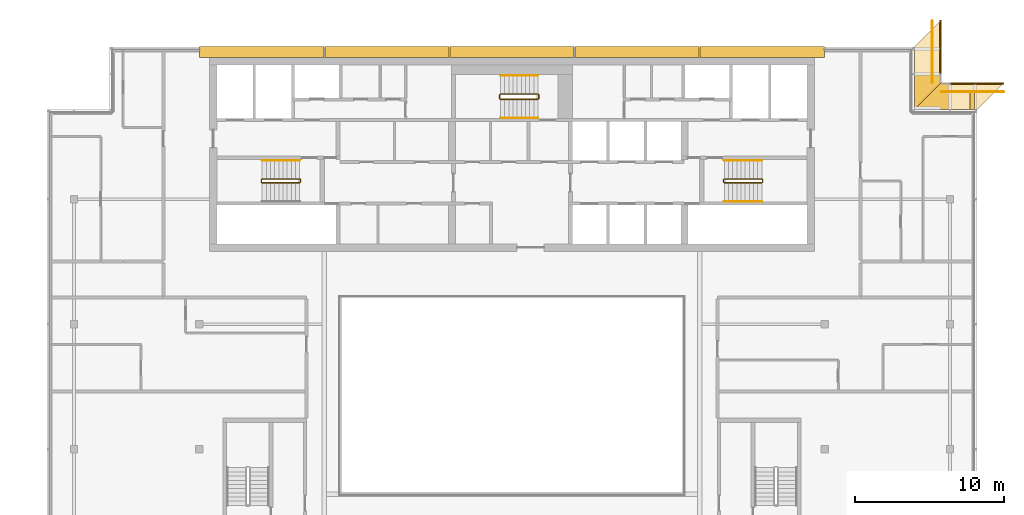
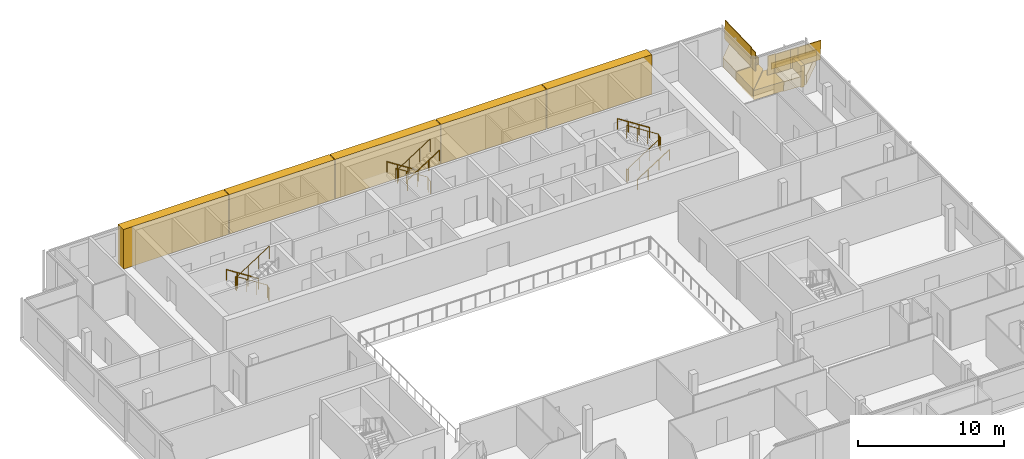
# One storey, part 23 of 24: 13 railings, 12 coverings.
"""IFC4 building model written with IfcOpenShell, lengths in metres."""

from ifc_helpers import new_model, si_unit, direction, frame, origin, origin_2d, place, context, subcontext, project, spatial, polyline, rectangle, circle, outline, extrude, material, layer, layer_set, type_object, element, save


model = new_model("IFC4")

# Units and contexts
model_context = context("Model", 3, precision=1e-05, world=origin(), true_north=direction((0.0, 1.0)))
body_context = subcontext(model_context, "Body", "Model", "MODEL_VIEW")
ifc_project = project(units=[si_unit("LENGTHUNIT", "METRE"), si_unit("AREAUNIT", "SQUARE_METRE"), si_unit("VOLUMEUNIT", "CUBIC_METRE"), si_unit("PLANEANGLEUNIT", "RADIAN"), si_unit("MASSUNIT", "GRAM", prefix="KILO")], contexts=[model_context])

# Site, building, storey
site_placement = place(None, origin())
site = spatial("IfcSite", under=ifc_project, at=site_placement, CompositionType="ELEMENT")
building_placement = place(site_placement, origin())
building = spatial("IfcBuilding", under=site, at=building_placement, Name="Saffron Gate Tower", CompositionType="ELEMENT")
storey_placement = place(building_placement, frame((0.0, 0.0, 281.550048828125)))
storey = spatial("IfcBuildingStorey", under=building, at=storey_placement, Name="L68", CompositionType="ELEMENT", Elevation=281.550048828125)

# Coverings
ifc_material_1 = material(Name="Ceramic-printed bronze insulated panel")
ifc_layer_1 = layer(ifc_material_1, 0.739990234375)
ifc_layer_set_1 = layer_set([ifc_layer_1], Name="CLD5 ceramic-printed cladding panel 740")
covering_type_1 = type_object("IfcCoveringType", Name="CLD5 ceramic-printed cladding panel 740", PredefinedType="CLADDING", material=ifc_layer_set_1)
covering_1_placement = place(storey_placement, origin())
element("IfcCovering", 1, at=covering_1_placement, inside=storey, type_object=covering_type_1, Name="CLADDING ceramic-printed panel", PredefinedType="CLADDING", context=body_context, shape_type="SweptSolid", body=[
    extrude(outline(polyline([(108.56494140625, 75.639892578125), (100.235107421875, 75.639892578125), (100.235107421875, 74.89990234375), (108.56494140625, 74.89990234375), (108.56494140625, 75.639892578125)])), origin(), (0.0, 0.0, 1.0), 3.320068359375),
])
covering_2_placement = place(storey_placement, origin())
element("IfcCovering", 2, at=covering_2_placement, inside=storey, type_object=covering_type_1, Name="CLADDING ceramic-printed panel", PredefinedType="CLADDING", context=body_context, shape_type="SweptSolid", body=[
    extrude(outline(polyline([(100.1650390625, 75.639892578125), (91.8349609375, 75.639892578125), (91.8349609375, 74.89990234375), (100.1650390625, 74.89990234375), (100.1650390625, 75.639892578125)])), origin(), (0.0, 0.0, 1.0), 3.320068359375),
])
covering_3_placement = place(storey_placement, origin())
element("IfcCovering", 3, at=covering_3_placement, inside=storey, type_object=covering_type_1, Name="CLADDING ceramic-printed panel", PredefinedType="CLADDING", context=body_context, shape_type="SweptSolid", body=[
    extrude(outline(polyline([(91.764892578125, 75.639892578125), (83.43505859375, 75.639892578125), (83.43505859375, 74.89990234375), (91.764892578125, 74.89990234375), (91.764892578125, 75.639892578125)])), origin(), (0.0, 0.0, 1.0), 3.320068359375),
])
covering_4_placement = place(storey_placement, origin())
element("IfcCovering", 4, at=covering_4_placement, inside=storey, type_object=covering_type_1, Name="CLADDING ceramic-printed panel", PredefinedType="CLADDING", context=body_context, shape_type="SweptSolid", body=[
    extrude(outline(polyline([(83.364990234375, 75.639892578125), (75.034912109375, 75.639892578125), (75.034912109375, 74.89990234375), (83.364990234375, 74.89990234375), (83.364990234375, 75.639892578125)])), origin(), (0.0, 0.0, 1.0), 3.320068359375),
])
covering_5_placement = place(storey_placement, origin())
element("IfcCovering", 5, at=covering_5_placement, inside=storey, type_object=covering_type_1, Name="CLADDING ceramic-printed panel", PredefinedType="CLADDING", context=body_context, shape_type="SweptSolid", body=[
    extrude(outline(polyline([(74.965087890625, 75.639892578125), (66.635009765625, 75.639892578125), (66.635009765625, 74.89990234375), (74.965087890625, 74.89990234375), (74.965087890625, 75.639892578125)])), origin(), (0.0, 0.0, 1.0), 3.320068359375),
])

# Railings
ifc_material_2 = material(Name="Stainless steel and laminated glass", Category="steel")
railing_type_1 = type_object("IfcRailingType", Name="CR1 Stair guard 1100", PredefinedType="GUARDRAIL", material=ifc_material_2)
railing_1_placement = place(storey_placement, frame((73.39990234375, 66.550048828125, 0.0)))
element("IfcRailing", 6, at=railing_1_placement, inside=storey, type_object=railing_type_1, Name="L68 ST-A stair guard 1", PredefinedType="GUARDRAIL", context=body_context, shape_type="SweptSolid", body=[
    extrude(circle(Radius=0.02392578125, at=origin_2d()), frame((0.0, 0.0, 1.076171875), z_axis=(0.0, 1.0, 0.0), x_axis=(-1.0, 0.0, 0.0)), (0.0, 0.0, 1.0), 0.14990234375),
    extrude(circle(Radius=0.02392578125, at=origin_2d()), frame((0.0, 0.14990234375, 1.076171875), z_axis=(-0.257669022063, 0.258932105505, 0.930892496375), x_axis=(-0.708833529934, -0.705375805398, 0.0)), (0.0, 0.0, 1.0), 0.193359375),
    extrude(circle(Radius=0.02392578125, at=origin_2d()), frame((-0.0498046875, 0.199951171875, 1.255859375), z_axis=(-0.841162588446, 0.0, 0.540782303519), x_axis=(0.0, -1.0, 0.0)), (0.0, 0.0, 1.0), 2.995849609375),
    extrude(circle(Radius=0.02392578125, at=origin_2d()), frame((-2.56982421875, 0.199951171875, 2.8759765625), z_axis=(-0.707106781187, -0.707106781187, 0.0), x_axis=(0.707106781187, -0.707106781187, 0.0)), (0.0, 0.0, 1.0), 0.07080078125),
    extrude(circle(Radius=0.02392578125, at=origin_2d()), frame((-2.619873046875, 0.14990234375, 2.8759765625), z_axis=(0.0, -1.0, 0.0), x_axis=(1.0, 0.0, 0.0)), (0.0, 0.0, 1.0), 0.14990234375),
    extrude(circle(Radius=0.02392578125, at=origin_2d()), frame((-2.619873046875, 0.0, 2.8759765625), z_axis=(0.258847668887, -0.258847668887, 0.930588936439), x_axis=(0.707106781187, 0.707106781187, 0.0)), (0.0, 0.0, 1.0), 0.193359375),
    extrude(circle(Radius=0.02392578125, at=origin_2d()), frame((-2.56982421875, -0.050048828125, 3.05615234375), z_axis=(0.841199657755, 0.0, 0.540724639528), x_axis=(0.0, 1.0, 0.0)), (0.0, 0.0, 1.0), 2.995849609375),
    extrude(circle(Radius=0.02099609375, at=origin_2d()), origin(), (0.0, 0.0, 1.0), 1.052001953125),
    extrude(circle(Radius=0.02099609375, at=origin_2d()), frame((0.0, 0.14990234375, 0.0)), (0.0, 0.0, 1.0), 1.052001953125),
    extrude(circle(Radius=0.02099609375, at=origin_2d()), frame((-0.0498046875, 0.199951171875, 0.179931640625)), (0.0, 0.0, 1.0), 1.052001953125),
    extrude(circle(Radius=0.02099609375, at=origin_2d()), frame((-0.889892578125, 0.199951171875, 0.719970703125)), (0.0, 0.0, 1.0), 1.052001953125),
    extrude(circle(Radius=0.02099609375, at=origin_2d()), frame((-1.729736328125, 0.199951171875, 1.260009765625)), (0.0, 0.0, 1.0), 1.052001953125),
    extrude(circle(Radius=0.02099609375, at=origin_2d()), frame((-2.56982421875, 0.199951171875, 1.800048828125)), (0.0, 0.0, 1.0), 1.052001953125),
    extrude(circle(Radius=0.02099609375, at=origin_2d()), frame((-2.619873046875, 0.14990234375, 1.800048828125)), (0.0, 0.0, 1.0), 1.052001953125),
    extrude(circle(Radius=0.02099609375, at=origin_2d()), frame((-2.619873046875, 0.0, 1.800048828125)), (0.0, 0.0, 1.0), 1.052001953125),
    extrude(circle(Radius=0.02099609375, at=origin_2d()), frame((-2.56982421875, -0.050048828125, 1.97998046875)), (0.0, 0.0, 1.0), 1.052001953125),
    extrude(circle(Radius=0.02099609375, at=origin_2d()), frame((-1.729736328125, -0.050048828125, 2.52001953125)), (0.0, 0.0, 1.0), 1.052001953125),
    extrude(circle(Radius=0.02099609375, at=origin_2d()), frame((-0.889892578125, -0.050048828125, 3.059814453125)), (0.0, 0.0, 1.0), 1.052001953125),
    extrude(circle(Radius=0.02099609375, at=origin_2d()), frame((-0.0498046875, -0.050048828125, 3.599853515625)), (0.0, 0.0, 1.0), 1.052001953125),
])
railing_2_placement = place(storey_placement, frame((101.800048828125, 66.699951171875, 0.0)))
element("IfcRailing", 7, at=railing_2_placement, inside=storey, type_object=railing_type_1, Name="L68 ST-B stair guard 1", PredefinedType="GUARDRAIL", context=body_context, shape_type="SweptSolid", body=[
    extrude(circle(Radius=0.02392578125, at=origin_2d()), frame((0.0, 0.0, 1.076171875), z_axis=(0.0, -1.0, 0.0), x_axis=(1.0, 0.0, 0.0)), (0.0, 0.0, 1.0), 0.14990234375),
    extrude(circle(Radius=0.02392578125, at=origin_2d()), frame((0.0, -0.14990234375, 1.076171875), z_axis=(0.258847668887, -0.258847668887, 0.930588936439), x_axis=(0.707106781187, 0.707106781187, 0.0)), (0.0, 0.0, 1.0), 0.193359375),
    extrude(circle(Radius=0.02392578125, at=origin_2d()), frame((0.050048828125, -0.199951171875, 1.255859375), z_axis=(0.841162588446, 0.0, 0.540782303519), x_axis=(0.0, 1.0, 0.0)), (0.0, 0.0, 1.0), 2.995849609375),
    extrude(circle(Radius=0.02392578125, at=origin_2d()), frame((2.570068359375, -0.199951171875, 2.8759765625), z_axis=(0.705375805398, 0.708833529934, 0.0), x_axis=(-0.708833529934, 0.705375805398, 0.0)), (0.0, 0.0, 1.0), 0.070556640625),
    extrude(circle(Radius=0.02392578125, at=origin_2d()), frame((2.619873046875, -0.14990234375, 2.8759765625), z_axis=(0.0, 1.0, 0.0), x_axis=(-1.0, 0.0, 0.0)), (0.0, 0.0, 1.0), 0.14990234375),
    extrude(circle(Radius=0.02392578125, at=origin_2d()), frame((2.619873046875, 0.0, 2.8759765625), z_axis=(-0.257669022063, 0.258932105505, 0.930892496375), x_axis=(-0.708833529934, -0.705375805398, 0.0)), (0.0, 0.0, 1.0), 0.193359375),
    extrude(circle(Radius=0.02392578125, at=origin_2d()), frame((2.570068359375, 0.050048828125, 3.05615234375), z_axis=(-0.841199657755, 0.0, 0.540724639528), x_axis=(0.0, -1.0, 0.0)), (0.0, 0.0, 1.0), 2.995849609375),
    extrude(circle(Radius=0.02099609375, at=origin_2d()), origin(), (0.0, 0.0, 1.0), 1.052001953125),
    extrude(circle(Radius=0.02099609375, at=origin_2d()), frame((0.0, -0.14990234375, 0.0)), (0.0, 0.0, 1.0), 1.052001953125),
    extrude(circle(Radius=0.02099609375, at=origin_2d()), frame((0.050048828125, -0.199951171875, 0.179931640625)), (0.0, 0.0, 1.0), 1.052001953125),
    extrude(circle(Radius=0.02099609375, at=origin_2d()), frame((0.89013671875, -0.199951171875, 0.719970703125)), (0.0, 0.0, 1.0), 1.052001953125),
    extrude(circle(Radius=0.02099609375, at=origin_2d()), frame((1.72998046875, -0.199951171875, 1.260009765625)), (0.0, 0.0, 1.0), 1.052001953125),
    extrude(circle(Radius=0.02099609375, at=origin_2d()), frame((2.570068359375, -0.199951171875, 1.800048828125)), (0.0, 0.0, 1.0), 1.052001953125),
    extrude(circle(Radius=0.02099609375, at=origin_2d()), frame((2.619873046875, -0.14990234375, 1.800048828125)), (0.0, 0.0, 1.0), 1.052001953125),
    extrude(circle(Radius=0.02099609375, at=origin_2d()), frame((2.619873046875, 0.0, 1.800048828125)), (0.0, 0.0, 1.0), 1.052001953125),
    extrude(circle(Radius=0.02099609375, at=origin_2d()), frame((2.570068359375, 0.050048828125, 1.97998046875)), (0.0, 0.0, 1.0), 1.052001953125),
    extrude(circle(Radius=0.02099609375, at=origin_2d()), frame((1.72998046875, 0.050048828125, 2.52001953125)), (0.0, 0.0, 1.0), 1.052001953125),
    extrude(circle(Radius=0.02099609375, at=origin_2d()), frame((0.89013671875, 0.050048828125, 3.059814453125)), (0.0, 0.0, 1.0), 1.052001953125),
    extrude(circle(Radius=0.02099609375, at=origin_2d()), frame((0.050048828125, 0.050048828125, 3.599853515625)), (0.0, 0.0, 1.0), 1.052001953125),
])
railing_3_placement = place(storey_placement, frame((89.39990234375, 72.14990234375, 0.0)))
element("IfcRailing", 8, at=railing_3_placement, inside=storey, type_object=railing_type_1, Name="L68 ST-C stair guard 1", PredefinedType="GUARDRAIL", context=body_context, shape_type="SweptSolid", body=[
    extrude(circle(Radius=0.02392578125, at=origin_2d()), frame((0.0, 0.0, 1.076171875), z_axis=(0.0, 1.0, 0.0), x_axis=(-1.0, 0.0, 0.0)), (0.0, 0.0, 1.0), 0.25),
    extrude(circle(Radius=0.02392578125, at=origin_2d()), frame((0.0, 0.25, 1.076171875), z_axis=(-0.257669022063, 0.258932105505, 0.930892496375), x_axis=(-0.708833529934, -0.705375805398, 0.0)), (0.0, 0.0, 1.0), 0.193359375),
    extrude(circle(Radius=0.02392578125, at=origin_2d()), frame((-0.0498046875, 0.300048828125, 1.255859375), z_axis=(-0.841162588446, 0.0, 0.540782303519), x_axis=(0.0, -1.0, 0.0)), (0.0, 0.0, 1.0), 2.995849609375),
    extrude(circle(Radius=0.02392578125, at=origin_2d()), frame((-2.56982421875, 0.300048828125, 2.8759765625), z_axis=(-0.707106781187, -0.707106781187, 0.0), x_axis=(0.707106781187, -0.707106781187, 0.0)), (0.0, 0.0, 1.0), 0.07080078125),
    extrude(circle(Radius=0.02392578125, at=origin_2d()), frame((-2.619873046875, 0.25, 2.8759765625), z_axis=(0.0, -1.0, 0.0), x_axis=(1.0, 0.0, 0.0)), (0.0, 0.0, 1.0), 0.25),
    extrude(circle(Radius=0.02392578125, at=origin_2d()), frame((-2.619873046875, 0.0, 2.8759765625), z_axis=(0.258932105505, -0.257669022063, 0.930892496375), x_axis=(0.705375805398, 0.708833529934, 0.0)), (0.0, 0.0, 1.0), 0.193359375),
    extrude(circle(Radius=0.02392578125, at=origin_2d()), frame((-2.56982421875, -0.0498046875, 3.05615234375), z_axis=(0.841199657755, 0.0, 0.540724639528), x_axis=(0.0, 1.0, 0.0)), (0.0, 0.0, 1.0), 2.995849609375),
    extrude(circle(Radius=0.02099609375, at=origin_2d()), origin(), (0.0, 0.0, 1.0), 1.052001953125),
    extrude(circle(Radius=0.02099609375, at=origin_2d()), frame((0.0, 0.25, 0.0)), (0.0, 0.0, 1.0), 1.052001953125),
    extrude(circle(Radius=0.02099609375, at=origin_2d()), frame((-0.0498046875, 0.300048828125, 0.179931640625)), (0.0, 0.0, 1.0), 1.052001953125),
    extrude(circle(Radius=0.02099609375, at=origin_2d()), frame((-0.889892578125, 0.300048828125, 0.719970703125)), (0.0, 0.0, 1.0), 1.052001953125),
    extrude(circle(Radius=0.02099609375, at=origin_2d()), frame((-1.729736328125, 0.300048828125, 1.260009765625)), (0.0, 0.0, 1.0), 1.052001953125),
    extrude(circle(Radius=0.02099609375, at=origin_2d()), frame((-2.56982421875, 0.300048828125, 1.800048828125)), (0.0, 0.0, 1.0), 1.052001953125),
    extrude(circle(Radius=0.02099609375, at=origin_2d()), frame((-2.619873046875, 0.25, 1.800048828125)), (0.0, 0.0, 1.0), 1.052001953125),
    extrude(circle(Radius=0.02099609375, at=origin_2d()), frame((-2.619873046875, 0.0, 1.800048828125)), (0.0, 0.0, 1.0), 1.052001953125),
    extrude(circle(Radius=0.02099609375, at=origin_2d()), frame((-2.56982421875, -0.0498046875, 1.97998046875)), (0.0, 0.0, 1.0), 1.052001953125),
    extrude(circle(Radius=0.02099609375, at=origin_2d()), frame((-1.729736328125, -0.0498046875, 2.52001953125)), (0.0, 0.0, 1.0), 1.052001953125),
    extrude(circle(Radius=0.02099609375, at=origin_2d()), frame((-0.889892578125, -0.0498046875, 3.059814453125)), (0.0, 0.0, 1.0), 1.052001953125),
    extrude(circle(Radius=0.02099609375, at=origin_2d()), frame((-0.0498046875, -0.0498046875, 3.599853515625)), (0.0, 0.0, 1.0), 1.052001953125),
])
ifc_material_3 = material(Name="Stainless steel", Category="steel")
railing_type_2 = type_object("IfcRailingType", Name="CR2 Stair handrail 900", PredefinedType="HANDRAIL", material=ifc_material_3)
railing_4_placement = place(storey_placement, frame((73.35009765625, 68.0, 0.179931640625)))
element("IfcRailing", 9, at=railing_4_placement, inside=storey, type_object=railing_type_2, Name="L68 ST-A stair handrail 1", PredefinedType="HANDRAIL", context=body_context, shape_type="SweptSolid", body=[
    extrude(circle(Radius=0.02392578125, at=origin_2d()), frame((0.0, 0.0, 0.8759765625), z_axis=(-0.841162588446, 0.0, 0.540782303519), x_axis=(0.0, -1.0, 0.0)), (0.0, 0.0, 1.0), 2.995849609375),
    extrude(circle(Radius=0.02099609375, at=origin_2d()), origin(), (0.0, 0.0, 1.0), 0.851806640625),
    extrude(circle(Radius=0.02099609375, at=origin_2d()), frame((-0.840087890625, 0.0, 0.5400390625)), (0.0, 0.0, 1.0), 0.851806640625),
    extrude(circle(Radius=0.02099609375, at=origin_2d()), frame((-1.679931640625, 0.0, 1.080078125)), (0.0, 0.0, 1.0), 0.851806640625),
    extrude(circle(Radius=0.02099609375, at=origin_2d()), frame((-2.52001953125, 0.0, 1.6201171875)), (0.0, 0.0, 1.0), 0.851806640625),
])
railing_5_placement = place(storey_placement, frame((101.85009765625, 65.25, 0.179931640625)))
element("IfcRailing", 10, at=railing_5_placement, inside=storey, type_object=railing_type_2, Name="L68 ST-B stair handrail 1", PredefinedType="HANDRAIL", context=body_context, shape_type="SweptSolid", body=[
    extrude(circle(Radius=0.02392578125, at=origin_2d()), frame((0.0, 0.0, 0.8759765625), z_axis=(0.841162588446, 0.0, 0.540782303519), x_axis=(0.0, 1.0, 0.0)), (0.0, 0.0, 1.0), 2.995849609375),
    extrude(circle(Radius=0.02099609375, at=origin_2d()), origin(), (0.0, 0.0, 1.0), 0.851806640625),
    extrude(circle(Radius=0.02099609375, at=origin_2d()), frame((0.840087890625, 0.0, 0.5400390625)), (0.0, 0.0, 1.0), 0.851806640625),
    extrude(circle(Radius=0.02099609375, at=origin_2d()), frame((1.679931640625, 0.0, 1.080078125)), (0.0, 0.0, 1.0), 0.851806640625),
    extrude(circle(Radius=0.02099609375, at=origin_2d()), frame((2.52001953125, 0.0, 1.6201171875)), (0.0, 0.0, 1.0), 0.851806640625),
])
railing_6_placement = place(storey_placement, frame((104.3701171875, 68.0, 1.97998046875)))
element("IfcRailing", 11, at=railing_6_placement, inside=storey, type_object=railing_type_2, Name="L68 ST-B stair handrail 2", PredefinedType="HANDRAIL", context=body_context, shape_type="SweptSolid", body=[
    extrude(circle(Radius=0.02392578125, at=origin_2d()), frame((0.0, 0.0, 0.8759765625), z_axis=(-0.841199657755, 0.0, 0.540724639528), x_axis=(0.0, -1.0, 0.0)), (0.0, 0.0, 1.0), 2.995849609375),
    extrude(circle(Radius=0.02099609375, at=origin_2d()), origin(), (0.0, 0.0, 1.0), 0.851806640625),
    extrude(circle(Radius=0.02099609375, at=origin_2d()), frame((-0.840087890625, 0.0, 0.5400390625)), (0.0, 0.0, 1.0), 0.851806640625),
    extrude(circle(Radius=0.02099609375, at=origin_2d()), frame((-1.679931640625, 0.0, 1.079833984375)), (0.0, 0.0, 1.0), 0.851806640625),
    extrude(circle(Radius=0.02099609375, at=origin_2d()), frame((-2.52001953125, 0.0, 1.619873046875)), (0.0, 0.0, 1.0), 0.851806640625),
])
railing_7_placement = place(storey_placement, frame((89.35009765625, 73.699951171875, 0.179931640625)))
element("IfcRailing", 12, at=railing_7_placement, inside=storey, type_object=railing_type_2, Name="L68 ST-C stair handrail 1", PredefinedType="HANDRAIL", context=body_context, shape_type="SweptSolid", body=[
    extrude(circle(Radius=0.02392578125, at=origin_2d()), frame((0.0, 0.0, 0.8759765625), z_axis=(-0.841162588446, 0.0, 0.540782303519), x_axis=(0.0, -1.0, 0.0)), (0.0, 0.0, 1.0), 2.995849609375),
    extrude(circle(Radius=0.02099609375, at=origin_2d()), origin(), (0.0, 0.0, 1.0), 0.851806640625),
    extrude(circle(Radius=0.02099609375, at=origin_2d()), frame((-0.840087890625, 0.0, 0.5400390625)), (0.0, 0.0, 1.0), 0.851806640625),
    extrude(circle(Radius=0.02099609375, at=origin_2d()), frame((-1.679931640625, 0.0, 1.080078125)), (0.0, 0.0, 1.0), 0.851806640625),
    extrude(circle(Radius=0.02099609375, at=origin_2d()), frame((-2.52001953125, 0.0, 1.6201171875)), (0.0, 0.0, 1.0), 0.851806640625),
])
railing_8_placement = place(storey_placement, frame((86.830078125, 70.85009765625, 1.97998046875)))
element("IfcRailing", 13, at=railing_8_placement, inside=storey, type_object=railing_type_2, Name="L68 ST-C stair handrail 2", PredefinedType="HANDRAIL", context=body_context, shape_type="SweptSolid", body=[
    extrude(circle(Radius=0.02392578125, at=origin_2d()), frame((0.0, 0.0, 0.8759765625), z_axis=(0.841199657755, 0.0, 0.540724639528), x_axis=(0.0, 1.0, 0.0)), (0.0, 0.0, 1.0), 2.995849609375),
    extrude(circle(Radius=0.02099609375, at=origin_2d()), origin(), (0.0, 0.0, 1.0), 0.851806640625),
    extrude(circle(Radius=0.02099609375, at=origin_2d()), frame((0.840087890625, 0.0, 0.5400390625)), (0.0, 0.0, 1.0), 0.851806640625),
    extrude(circle(Radius=0.02099609375, at=origin_2d()), frame((1.679931640625, 0.0, 1.079833984375)), (0.0, 0.0, 1.0), 0.851806640625),
    extrude(circle(Radius=0.02099609375, at=origin_2d()), frame((2.52001953125, 0.0, 1.619873046875)), (0.0, 0.0, 1.0), 0.851806640625),
])

# Coverings
ifc_material_4 = material(Name="Timber, thermally modified ash", Category="wood")
ifc_layer_2 = layer(ifc_material_4, 0.800048828125)
ifc_layer_set_2 = layer_set([ifc_layer_2], Name="LD1 ledge timber")
covering_type_2 = type_object("IfcCoveringType", Name="LD1 ledge timber", PredefinedType="CLADDING", material=ifc_layer_set_2)
covering_6_placement = place(storey_placement, frame((118.800048828125, 71.39990234375, 0.1513671875), z_axis=(0.028786835276, 4.5191264e-05, 0.999585572161), x_axis=(-0.999585573182, 2.041e-09, 0.028786835305)))
element("IfcCovering", 14, at=covering_6_placement, inside=storey, type_object=covering_type_2, Name="LEDGE", PredefinedType="CLADDING", context=body_context, shape_type="SweptSolid", body=[
    extrude(outline(polyline([(0.0, 0.0), (1.8007927832406818, 0.0), (1.8007927869153135, -1.800048826286925), (-1.8007998076020133, -1.8000488373153904), (0.0, 0.0)])), origin(), (0.0, 0.0, -1.0), 0.800048828125),
])
covering_7_placement = place(storey_placement, frame((117.0, 71.39990234375, 0.238525390625), z_axis=(0.028715367168, 8.2902309e-05, 0.999587625381), x_axis=(-0.999587628816, -5.153e-09, 0.028715367267)))
element("IfcCovering", 15, at=covering_7_placement, inside=storey, type_object=covering_type_2, Name="LEDGE", PredefinedType="CLADDING", context=body_context, shape_type="SweptSolid", body=[
    extrude(outline(polyline([(0.0, 0.0), (2.4008966895022996, 0.0), (0.6003409251337037, -1.800048837404124), (-9.275308203811229e-09, -1.800048821939319), (0.0, 0.0)])), origin(), (0.0, 0.0, -1.0), 0.800048828125),
])
covering_8_placement = place(storey_placement, frame((114.60009765625, 71.39990234375, 0.354736328125), z_axis=(2.633725e-05, -0.028794305201, 0.999585357683), x_axis=(5.2e-10, 0.99958535803, 0.028794305211)))
element("IfcCovering", 16, at=covering_8_placement, inside=storey, type_object=covering_type_2, Name="LEDGE", PredefinedType="CLADDING", context=body_context, shape_type="SweptSolid", body=[
    extrude(outline(polyline([(0.0, 0.0), (2.401140733194568, 0.0), (2.4011407341303483, -1.799804686875782), (1.8007927835182762, -1.7998046884363594), (0.0, 0.0)])), origin(), (0.0, 0.0, -1.0), 0.800048828125),
])
covering_9_placement = place(storey_placement, frame((114.60009765625, 73.800048828125, 0.470947265625), z_axis=(-1.299646e-06, -0.028742979799, 0.999586835203), x_axis=(-2e-12, 0.999586835204, 0.028742979799)))
element("IfcCovering", 17, at=covering_9_placement, inside=storey, type_object=covering_type_2, Name="LEDGE", PredefinedType="CLADDING", context=body_context, shape_type="SweptSolid", body=[
    extrude(outline(polyline([(0.0, 0.0), (1.8007927850764784, 1.3234889800848443e-23), (3.60134153039523, -1.7998046875076), (-3.0383474210885743e-12, -1.79980468749848), (0.0, 0.0)])), origin(), (0.0, 0.0, -1.0), 0.800048828125),
])
ifc_layer_3 = layer(ifc_material_4, 0.080078125)
ifc_layer_set_3 = layer_set([ifc_layer_3], Name="LD2 ledge planter trough")
covering_type_3 = type_object("IfcCoveringType", Name="LD2 ledge planter trough", PredefinedType="CLADDING", material=ifc_layer_set_3)
covering_10_placement = place(storey_placement, frame((120.60009765625, 73.199951171875, 0.099365234375), z_axis=(0.0, 1.0, 0.0), x_axis=(-0.99958492274, 0.0, 0.028809412191)))
element("IfcCovering", 18, at=covering_10_placement, inside=storey, type_object=covering_type_3, Name="LEDGE planter trough", PredefinedType="CLADDING", context=body_context, shape_type="SweptSolid", body=[
    extrude(outline(polyline([(0.0, 0.0), (3.601592595435983, 0.0), (3.6159973015313485, 0.4997924613700232), (0.014404706095365512, 0.4997924613700232), (0.0, 0.0)])), origin(), (0.0, 0.0, -1.0), 0.080078125),
])
covering_11_placement = place(storey_placement, frame((116.39990234375, 73.800048828125, 0.470947265625), z_axis=(1.0, 0.0, 0.0), x_axis=(0.0, 0.999586816534, 0.028743629041)))
element("IfcCovering", 19, at=covering_11_placement, inside=storey, type_object=covering_type_3, Name="LEDGE planter trough", PredefinedType="CLADDING", context=body_context, shape_type="SweptSolid", body=[
    extrude(outline(polyline([(0.0, 0.0), (3.6013415303990284, 0.0), (3.615713344919565, 0.4997934082672433), (0.01437181452053653, 0.4997934082672433), (0.0, 0.0)])), origin(), (0.0, 0.0, -1.0), 0.080078125),
])
ifc_layer_4 = layer(ifc_material_4, 0.300048828125)
ifc_layer_set_4 = layer_set([ifc_layer_4], Name="LD3 ledge riser fin")
covering_type_4 = type_object("IfcCoveringType", Name="LD3 ledge riser fin", PredefinedType="CLADDING", material=ifc_layer_set_4)
covering_12_placement = place(storey_placement, frame((118.5, 71.9599609375, -0.7666015625), z_axis=(0.0, 0.0, 1.0), x_axis=(-1.0, 0.0, 0.0)))
element("IfcCovering", 20, at=covering_12_placement, inside=storey, type_object=covering_type_4, Name="LEDGE riser fin", PredefinedType="CLADDING", context=body_context, shape_type="SweptSolid", body=[
    extrude(rectangle(XDim=0.300048828125, YDim=1.1201171875, at=origin_2d()), origin(), (0.0, 0.0, 1.0), 1.817626953125),
])

# Railings
railing_type_3 = type_object("IfcRailingType", Name="LG1 ledge balustrade", PredefinedType="BALUSTRADE", material=ifc_material_4)
railing_9_placement = place(storey_placement, frame((120.60009765625, 72.60009765625, 0.099365234375)))
element("IfcRailing", 21, at=railing_9_placement, inside=storey, type_object=railing_type_3, Name="LEDGE BALUSTRADE", PredefinedType="BALUSTRADE", context=body_context, shape_type="SweptSolid", body=[
    extrude(rectangle(XDim=0.06005859375, YDim=1.60009765625, at=origin_2d()), frame((0.0, 0.0, 0.800048828125), z_axis=(-0.99958492274, 0.0, 0.028809412191), x_axis=(0.0, -1.0, 0.0)), (0.0, 0.0, 1.0), 3.6015625),
])
railing_10_placement = place(storey_placement, frame((118.800048828125, 72.60009765625, 0.03369140625)))
element("IfcRailing", 22, at=railing_10_placement, inside=storey, type_object=railing_type_3, Name="LEDGE BALUSTRADE", PredefinedType="BALUSTRADE", context=body_context, shape_type="SweptSolid", body=[
    extrude(rectangle(XDim=0.06005859375, YDim=1.7177734375, at=origin_2d()), frame((0.0, 0.0, 0.85888671875), z_axis=(-1.0, 0.0, 0.0), x_axis=(0.0, -1.0, 0.0)), (0.0, 0.0, 1.0), 0.60009765625),
])
railing_11_placement = place(storey_placement, frame((117.0, 72.60009765625, 0.238525390625)))
element("IfcRailing", 23, at=railing_11_placement, inside=storey, type_object=railing_type_3, Name="LEDGE BALUSTRADE", PredefinedType="BALUSTRADE", context=body_context, shape_type="SweptSolid", body=[
    extrude(rectangle(XDim=0.06005859375, YDim=1.60009765625, at=origin_2d()), frame((0.0, 0.0, 0.800048828125), z_axis=(-0.999594735783, 0.0, 0.028466896463), x_axis=(0.0, -1.0, 0.0)), (0.0, 0.0, 1.0), 0.600341796875),
])
railing_12_placement = place(storey_placement, frame((115.800048828125, 73.199951171875, 0.406494140625)))
element("IfcRailing", 24, at=railing_12_placement, inside=storey, type_object=railing_type_3, Name="LEDGE BALUSTRADE", PredefinedType="BALUSTRADE", context=body_context, shape_type="SweptSolid", body=[
    extrude(rectangle(XDim=0.06005859375, YDim=1.60009765625, at=origin_2d()), frame((0.0, 0.0, 0.800048828125), z_axis=(0.0, 0.999583081391, 0.028873229772), x_axis=(-1.0, 0.0, 0.0)), (0.0, 0.0, 1.0), 0.600341796875),
])
railing_13_placement = place(storey_placement, frame((115.800048828125, 73.800048828125, 0.470947265625)))
element("IfcRailing", 25, at=railing_13_placement, inside=storey, type_object=railing_type_3, Name="LEDGE BALUSTRADE", PredefinedType="BALUSTRADE", context=body_context, shape_type="SweptSolid", body=[
    extrude(rectangle(XDim=0.06005859375, YDim=1.60009765625, at=origin_2d()), frame((0.0, 0.0, 0.800048828125), z_axis=(0.0, 0.999586816534, 0.028743629041), x_axis=(-1.0, 0.0, 0.0)), (0.0, 0.0, 1.0), 3.601318359375),
])

save(model, "model.ifc")
